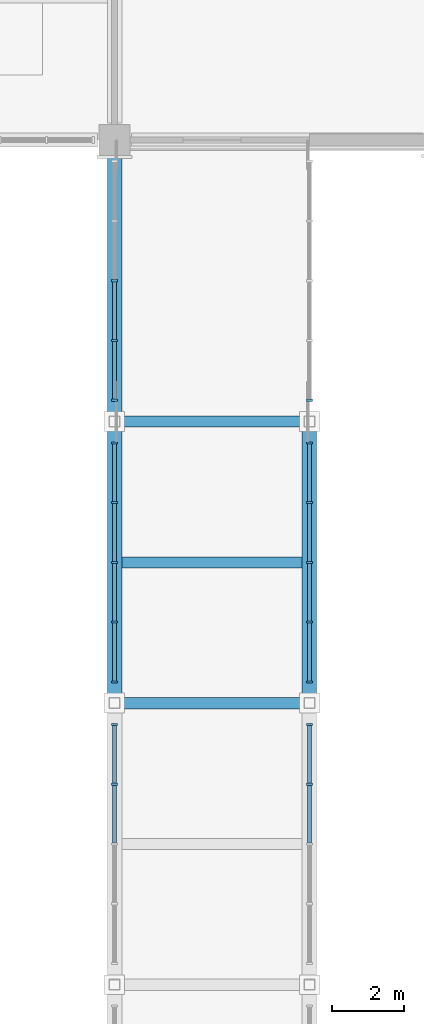
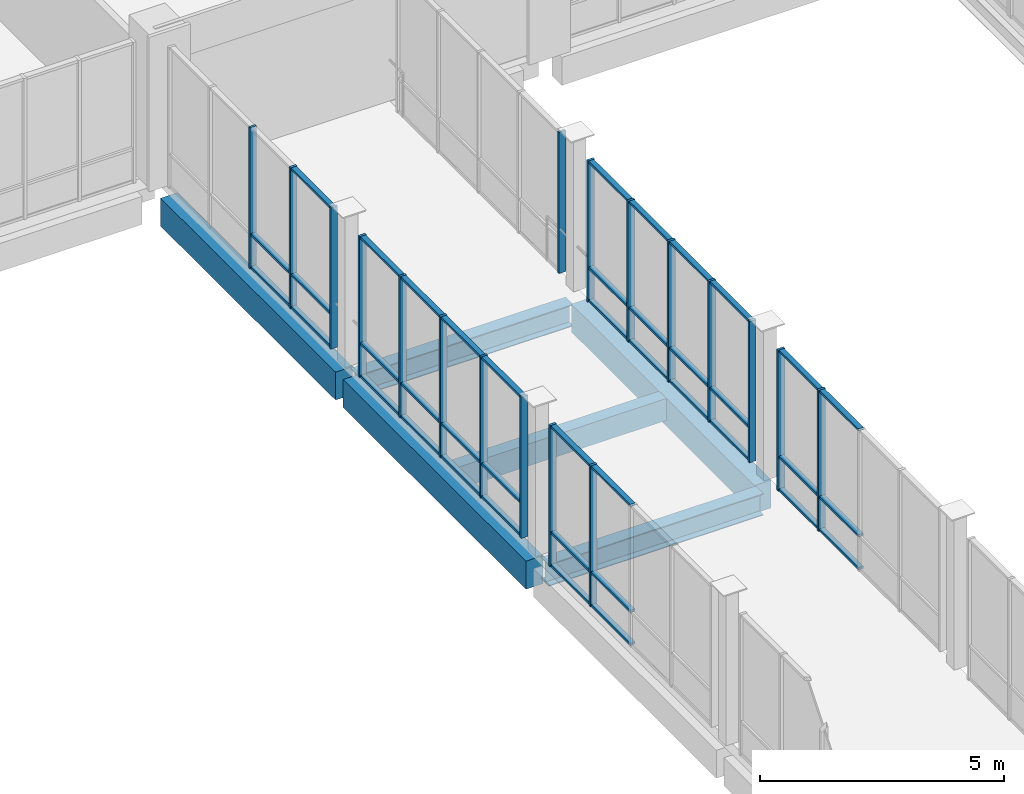
# One storey, part 31 of 85: 59 members, 6 beams, 6 elements without a shape of their own.
"""IFC4 building model written with IfcOpenShell, lengths in metres."""

from ifc_helpers import new_model, si_unit, direction, frame, origin, origin_2d, place, context, subcontext, project, spatial, rectangle, i_section, extrude, material, material_profile, profile_set, type_object, element, aggregate, save


model = new_model("IFC4")

# Units and contexts
model_context = context("Model", 3, precision=1e-05, world=origin(), true_north=direction((0.0, 1.0)))
body_context = subcontext(model_context, "Body", "Model", "MODEL_VIEW")
ifc_project = project(units=[si_unit("LENGTHUNIT", "METRE"), si_unit("AREAUNIT", "SQUARE_METRE"), si_unit("VOLUMEUNIT", "CUBIC_METRE"), si_unit("PLANEANGLEUNIT", "RADIAN"), si_unit("MASSUNIT", "GRAM", prefix="KILO")], contexts=[model_context])

# Site, building, storey
site_placement = place(None, origin())
site = spatial("IfcSite", under=ifc_project, at=site_placement, CompositionType="ELEMENT")
building_placement = place(site_placement, origin())
building = spatial("IfcBuilding", under=site, at=building_placement, Name="Vervanel Yard Central Library", CompositionType="ELEMENT")
storey_placement = place(building_placement, frame((0.0, 0.0, 5.10009765625)))
storey = spatial("IfcBuildingStorey", under=building, at=storey_placement, Name="L01", CompositionType="ELEMENT", Elevation=5.10009765625)

# Curtain wall, members
ifc_material_1 = material(Name="Thermally broken anodized aluminium 6063-T6", Category="aluminium")
curtain_wall_type = type_object("IfcCurtainWallType", Name="Boulevard Cafe & Bridge Curtain Wall", PredefinedType="NOTDEFINED", material=ifc_material_1)
curtain_wall_1_placement = place(storey_placement, origin())
curtain_wall_1 = element("IfcCurtainWall", 1, at=curtain_wall_1_placement, inside=storey, type_object=curtain_wall_type, Name="L01 Boulevard Cafe & Bridge Curtain Wall CWR-L01-181", PredefinedType="NOTDEFINED")
ifc_material_profile_1 = material_profile(ifc_material_1, rectangle(XDim=0.06005859375, YDim=0.159912109375, at=origin_2d()), Name="ALU 60x160", Category="aluminium")
ifc_profile_set_1 = profile_set([ifc_material_profile_1], Name="Thermally broken anodized aluminium 6063-T6")
member_type_1 = type_object("IfcMemberType", Name="Bridge & Courtyard Mullion 60x160", PredefinedType="MULLION", material=ifc_profile_set_1)
member_1_placement = place(storey_placement, frame((72.0, 64.35498046875, 0.0), z_axis=(0.0, 0.0, 1.0), x_axis=(0.0, 1.0, 0.0)))
member_1 = element("IfcMember", 2, at=member_1_placement, type_object=member_type_1, Name="CWR-L01-181 Mullion 4", PredefinedType="MULLION", context=body_context, shape_type="SweptSolid", body=[
    extrude(rectangle(XDim=0.06005859375, YDim=0.159912109375, at=origin_2d()), origin(), (0.0, 0.0, 1.0), 3.52978515625),
])
member_2_placement = place(storey_placement, frame((72.0, 66.010009765625, 0.0), z_axis=(0.0, 0.0, 1.0), x_axis=(0.0, 1.0, 0.0)))
member_2 = element("IfcMember", 3, at=member_2_placement, type_object=member_type_1, Name="CWR-L01-181 Mullion 5", PredefinedType="MULLION", context=body_context, shape_type="SweptSolid", body=[
    extrude(rectangle(XDim=0.06005859375, YDim=0.159912109375, at=origin_2d()), origin(), (0.0, 0.0, 1.0), 3.52978515625),
])

curtain_wall_2_placement = place(storey_placement, origin())
curtain_wall_2 = element("IfcCurtainWall", 4, at=curtain_wall_2_placement, inside=storey, type_object=curtain_wall_type, Name="L01 Boulevard Cafe & Bridge Curtain Wall CWR-L01-182", PredefinedType="NOTDEFINED")
member_3_placement = place(storey_placement, frame((72.0, 67.18994140625, 0.0), z_axis=(0.0, 0.0, 1.0), x_axis=(0.0, 1.0, 0.0)))
member_3 = element("IfcMember", 5, at=member_3_placement, type_object=member_type_1, Name="CWR-L01-182 Mullion 1", PredefinedType="MULLION", context=body_context, shape_type="SweptSolid", body=[
    extrude(rectangle(XDim=0.06005859375, YDim=0.159912109375, at=origin_2d()), origin(), (0.0, 0.0, 1.0), 3.52978515625),
])
member_4_placement = place(storey_placement, frame((72.0, 68.844970703125, 0.0), z_axis=(0.0, 0.0, 1.0), x_axis=(0.0, 1.0, 0.0)))
member_4 = element("IfcMember", 6, at=member_4_placement, type_object=member_type_1, Name="CWR-L01-182 Mullion 2", PredefinedType="MULLION", context=body_context, shape_type="SweptSolid", body=[
    extrude(rectangle(XDim=0.06005859375, YDim=0.159912109375, at=origin_2d()), origin(), (0.0, 0.0, 1.0), 3.52978515625),
])
member_5_placement = place(storey_placement, frame((72.0, 70.5, 0.0), z_axis=(0.0, 0.0, 1.0), x_axis=(0.0, 1.0, 0.0)))
member_5 = element("IfcMember", 7, at=member_5_placement, type_object=member_type_1, Name="CWR-L01-182 Mullion 3", PredefinedType="MULLION", context=body_context, shape_type="SweptSolid", body=[
    extrude(rectangle(XDim=0.06005859375, YDim=0.159912109375, at=origin_2d()), origin(), (0.0, 0.0, 1.0), 3.52978515625),
])
member_6_placement = place(storey_placement, frame((72.0, 72.155029296875, 0.0), z_axis=(0.0, 0.0, 1.0), x_axis=(0.0, 1.0, 0.0)))
member_6 = element("IfcMember", 8, at=member_6_placement, type_object=member_type_1, Name="CWR-L01-182 Mullion 4", PredefinedType="MULLION", context=body_context, shape_type="SweptSolid", body=[
    extrude(rectangle(XDim=0.06005859375, YDim=0.159912109375, at=origin_2d()), origin(), (0.0, 0.0, 1.0), 3.52978515625),
])
member_7_placement = place(storey_placement, frame((72.0, 73.81005859375, 0.0), z_axis=(0.0, 0.0, 1.0), x_axis=(0.0, 1.0, 0.0)))
member_7 = element("IfcMember", 9, at=member_7_placement, type_object=member_type_1, Name="CWR-L01-182 Mullion 5", PredefinedType="MULLION", context=body_context, shape_type="SweptSolid", body=[
    extrude(rectangle(XDim=0.06005859375, YDim=0.159912109375, at=origin_2d()), origin(), (0.0, 0.0, 1.0), 3.52978515625),
])

curtain_wall_3_placement = place(storey_placement, origin())
curtain_wall_3 = element("IfcCurtainWall", 10, at=curtain_wall_3_placement, inside=storey, type_object=curtain_wall_type, Name="L01 Boulevard Cafe & Bridge Curtain Wall CWR-L01-183", PredefinedType="NOTDEFINED")
member_8_placement = place(storey_placement, frame((72.0, 74.989990234375, 0.0), z_axis=(0.0, 0.0, 1.0), x_axis=(0.0, 1.0, 0.0)))
member_8 = element("IfcMember", 11, at=member_8_placement, type_object=member_type_1, Name="CWR-L01-183 Mullion 1", PredefinedType="MULLION", context=body_context, shape_type="SweptSolid", body=[
    extrude(rectangle(XDim=0.06005859375, YDim=0.159912109375, at=origin_2d()), origin(), (0.0, 0.0, 1.0), 3.52978515625),
])
member_9_placement = place(storey_placement, frame((72.0, 76.64501953125, 0.0), z_axis=(0.0, 0.0, 1.0), x_axis=(0.0, 1.0, 0.0)))
member_9 = element("IfcMember", 12, at=member_9_placement, type_object=member_type_1, Name="CWR-L01-183 Mullion 2", PredefinedType="MULLION", context=body_context, shape_type="SweptSolid", body=[
    extrude(rectangle(XDim=0.06005859375, YDim=0.159912109375, at=origin_2d()), origin(), (0.0, 0.0, 1.0), 3.52978515625),
])
member_10_placement = place(storey_placement, frame((72.0, 78.300048828125, 0.0), z_axis=(0.0, 0.0, 1.0), x_axis=(0.0, 1.0, 0.0)))
member_10 = element("IfcMember", 13, at=member_10_placement, type_object=member_type_1, Name="CWR-L01-183 Mullion 3", PredefinedType="MULLION", context=body_context, shape_type="SweptSolid", body=[
    extrude(rectangle(XDim=0.06005859375, YDim=0.159912109375, at=origin_2d()), origin(), (0.0, 0.0, 1.0), 3.52978515625),
])

curtain_wall_4_placement = place(storey_placement, origin())
curtain_wall_4 = element("IfcCurtainWall", 14, at=curtain_wall_4_placement, inside=storey, type_object=curtain_wall_type, Name="L01 Boulevard Cafe & Bridge Curtain Wall CWR-L01-189", PredefinedType="NOTDEFINED")
member_11_placement = place(storey_placement, frame((77.39990234375, 64.35498046875, 0.0), z_axis=(0.0, 0.0, 1.0), x_axis=(0.0, 1.0, 0.0)))
member_11 = element("IfcMember", 15, at=member_11_placement, type_object=member_type_1, Name="CWR-L01-189 Mullion 4", PredefinedType="MULLION", context=body_context, shape_type="SweptSolid", body=[
    extrude(rectangle(XDim=0.06005859375, YDim=0.159912109375, at=origin_2d()), origin(), (0.0, 0.0, 1.0), 3.52978515625),
])
member_12_placement = place(storey_placement, frame((77.39990234375, 66.010009765625, 0.0), z_axis=(0.0, 0.0, 1.0), x_axis=(0.0, 1.0, 0.0)))
member_12 = element("IfcMember", 16, at=member_12_placement, type_object=member_type_1, Name="CWR-L01-189 Mullion 5", PredefinedType="MULLION", context=body_context, shape_type="SweptSolid", body=[
    extrude(rectangle(XDim=0.06005859375, YDim=0.159912109375, at=origin_2d()), origin(), (0.0, 0.0, 1.0), 3.52978515625),
])

curtain_wall_5_placement = place(storey_placement, origin())
curtain_wall_5 = element("IfcCurtainWall", 17, at=curtain_wall_5_placement, inside=storey, type_object=curtain_wall_type, Name="L01 Boulevard Cafe & Bridge Curtain Wall CWR-L01-190", PredefinedType="NOTDEFINED")
member_13_placement = place(storey_placement, frame((77.39990234375, 67.18994140625, 0.0), z_axis=(0.0, 0.0, 1.0), x_axis=(0.0, 1.0, 0.0)))
member_13 = element("IfcMember", 18, at=member_13_placement, type_object=member_type_1, Name="CWR-L01-190 Mullion 1", PredefinedType="MULLION", context=body_context, shape_type="SweptSolid", body=[
    extrude(rectangle(XDim=0.06005859375, YDim=0.159912109375, at=origin_2d()), origin(), (0.0, 0.0, 1.0), 3.52978515625),
])
member_14_placement = place(storey_placement, frame((77.39990234375, 68.844970703125, 0.0), z_axis=(0.0, 0.0, 1.0), x_axis=(0.0, 1.0, 0.0)))
member_14 = element("IfcMember", 19, at=member_14_placement, type_object=member_type_1, Name="CWR-L01-190 Mullion 2", PredefinedType="MULLION", context=body_context, shape_type="SweptSolid", body=[
    extrude(rectangle(XDim=0.06005859375, YDim=0.159912109375, at=origin_2d()), origin(), (0.0, 0.0, 1.0), 3.52978515625),
])
member_15_placement = place(storey_placement, frame((77.39990234375, 70.5, 0.0), z_axis=(0.0, 0.0, 1.0), x_axis=(0.0, 1.0, 0.0)))
member_15 = element("IfcMember", 20, at=member_15_placement, type_object=member_type_1, Name="CWR-L01-190 Mullion 3", PredefinedType="MULLION", context=body_context, shape_type="SweptSolid", body=[
    extrude(rectangle(XDim=0.06005859375, YDim=0.159912109375, at=origin_2d()), origin(), (0.0, 0.0, 1.0), 3.52978515625),
])
member_16_placement = place(storey_placement, frame((77.39990234375, 72.155029296875, 0.0), z_axis=(0.0, 0.0, 1.0), x_axis=(0.0, 1.0, 0.0)))
member_16 = element("IfcMember", 21, at=member_16_placement, type_object=member_type_1, Name="CWR-L01-190 Mullion 4", PredefinedType="MULLION", context=body_context, shape_type="SweptSolid", body=[
    extrude(rectangle(XDim=0.06005859375, YDim=0.159912109375, at=origin_2d()), origin(), (0.0, 0.0, 1.0), 3.52978515625),
])
member_17_placement = place(storey_placement, frame((77.39990234375, 73.81005859375, 0.0), z_axis=(0.0, 0.0, 1.0), x_axis=(0.0, 1.0, 0.0)))
member_17 = element("IfcMember", 22, at=member_17_placement, type_object=member_type_1, Name="CWR-L01-190 Mullion 5", PredefinedType="MULLION", context=body_context, shape_type="SweptSolid", body=[
    extrude(rectangle(XDim=0.06005859375, YDim=0.159912109375, at=origin_2d()), origin(), (0.0, 0.0, 1.0), 3.52978515625),
])

# Curtain wall, member
curtain_wall_6_placement = place(storey_placement, origin())
curtain_wall_6 = element("IfcCurtainWall", 23, at=curtain_wall_6_placement, inside=storey, type_object=curtain_wall_type, Name="L01 Boulevard Cafe & Bridge Curtain Wall CWR-L01-191", PredefinedType="NOTDEFINED")
member_18_placement = place(storey_placement, frame((77.39990234375, 74.989990234375, 0.0), z_axis=(0.0, 0.0, 1.0), x_axis=(0.0, 1.0, 0.0)))
member_18 = element("IfcMember", 24, at=member_18_placement, type_object=member_type_1, Name="CWR-L01-191 Mullion 1", PredefinedType="MULLION", context=body_context, shape_type="SweptSolid", body=[
    extrude(rectangle(XDim=0.06005859375, YDim=0.159912109375, at=origin_2d()), origin(), (0.0, 0.0, 1.0), 3.52978515625),
])
aggregate(curtain_wall_6, [member_18])

# Member
ifc_material_profile_2 = material_profile(ifc_material_1, rectangle(XDim=0.06005859375, YDim=0.1201171875, at=origin_2d()), Name="ALU 60x120", Category="aluminium")
ifc_profile_set_2 = profile_set([ifc_material_profile_2], Name="Thermally broken anodized aluminium 6063-T6")
member_type_2 = type_object("IfcMemberType", Name="Bridge & Courtyard Transom 60x120", PredefinedType="NOTDEFINED", material=ifc_profile_set_2)
member_19_placement = place(storey_placement, frame((72.0, 62.72998046875, 0.02978515625), z_axis=(0.0, 1.0, 0.0), x_axis=(0.0, 0.0, 1.0)))
member_19 = element("IfcMember", 25, at=member_19_placement, type_object=member_type_2, Name="CWR-L01-181 Transom B3-T1", ObjectType="TRANSOM", PredefinedType="USERDEFINED", context=body_context, shape_type="SweptSolid", body=[
    extrude(rectangle(XDim=0.06005859375, YDim=0.1201171875, at=origin_2d()), origin(), (0.0, 0.0, 1.0), 1.594970703125),
])

member_20_placement = place(storey_placement, frame((72.0, 62.72998046875, 0.849853515625), z_axis=(0.0, 1.0, 0.0), x_axis=(0.0, 0.0, 1.0)))
member_20 = element("IfcMember", 26, at=member_20_placement, type_object=member_type_2, Name="CWR-L01-181 Transom B3-T2", ObjectType="TRANSOM", PredefinedType="USERDEFINED", context=body_context, shape_type="SweptSolid", body=[
    extrude(rectangle(XDim=0.06005859375, YDim=0.1201171875, at=origin_2d()), origin(), (0.0, 0.0, 1.0), 1.594970703125),
])

member_21_placement = place(storey_placement, frame((72.0, 62.72998046875, 3.5), z_axis=(0.0, 1.0, 0.0), x_axis=(0.0, 0.0, 1.0)))
member_21 = element("IfcMember", 27, at=member_21_placement, type_object=member_type_2, Name="CWR-L01-181 Transom B3-T3", ObjectType="TRANSOM", PredefinedType="USERDEFINED", context=body_context, shape_type="SweptSolid", body=[
    extrude(rectangle(XDim=0.06005859375, YDim=0.1201171875, at=origin_2d()), origin(), (0.0, 0.0, 1.0), 1.594970703125),
])

member_22_placement = place(storey_placement, frame((72.0, 64.385009765625, 0.02978515625), z_axis=(0.0, 1.0, 0.0), x_axis=(0.0, 0.0, 1.0)))
member_22 = element("IfcMember", 28, at=member_22_placement, type_object=member_type_2, Name="CWR-L01-181 Transom B4-T1", ObjectType="TRANSOM", PredefinedType="USERDEFINED", context=body_context, shape_type="SweptSolid", body=[
    extrude(rectangle(XDim=0.06005859375, YDim=0.1201171875, at=origin_2d()), origin(), (0.0, 0.0, 1.0), 1.594970703125),
])

member_23_placement = place(storey_placement, frame((72.0, 64.385009765625, 0.849853515625), z_axis=(0.0, 1.0, 0.0), x_axis=(0.0, 0.0, 1.0)))
member_23 = element("IfcMember", 29, at=member_23_placement, type_object=member_type_2, Name="CWR-L01-181 Transom B4-T2", ObjectType="TRANSOM", PredefinedType="USERDEFINED", context=body_context, shape_type="SweptSolid", body=[
    extrude(rectangle(XDim=0.06005859375, YDim=0.1201171875, at=origin_2d()), origin(), (0.0, 0.0, 1.0), 1.594970703125),
])

member_24_placement = place(storey_placement, frame((72.0, 64.385009765625, 3.5), z_axis=(0.0, 1.0, 0.0), x_axis=(0.0, 0.0, 1.0)))
member_24 = element("IfcMember", 30, at=member_24_placement, type_object=member_type_2, Name="CWR-L01-181 Transom B4-T3", ObjectType="TRANSOM", PredefinedType="USERDEFINED", context=body_context, shape_type="SweptSolid", body=[
    extrude(rectangle(XDim=0.06005859375, YDim=0.1201171875, at=origin_2d()), origin(), (0.0, 0.0, 1.0), 1.594970703125),
])

aggregate(curtain_wall_1, [member_1, member_2, member_19, member_20, member_21, member_22, member_23, member_24])

member_25_placement = place(storey_placement, frame((72.0, 67.219970703125, 0.02978515625), z_axis=(0.0, 1.0, 0.0), x_axis=(0.0, 0.0, 1.0)))
member_25 = element("IfcMember", 31, at=member_25_placement, type_object=member_type_2, Name="CWR-L01-182 Transom B1-T1", ObjectType="TRANSOM", PredefinedType="USERDEFINED", context=body_context, shape_type="SweptSolid", body=[
    extrude(rectangle(XDim=0.06005859375, YDim=0.1201171875, at=origin_2d()), origin(), (0.0, 0.0, 1.0), 1.594970703125),
])

member_26_placement = place(storey_placement, frame((72.0, 67.219970703125, 0.849853515625), z_axis=(0.0, 1.0, 0.0), x_axis=(0.0, 0.0, 1.0)))
member_26 = element("IfcMember", 32, at=member_26_placement, type_object=member_type_2, Name="CWR-L01-182 Transom B1-T2", ObjectType="TRANSOM", PredefinedType="USERDEFINED", context=body_context, shape_type="SweptSolid", body=[
    extrude(rectangle(XDim=0.06005859375, YDim=0.1201171875, at=origin_2d()), origin(), (0.0, 0.0, 1.0), 1.594970703125),
])

member_27_placement = place(storey_placement, frame((72.0, 67.219970703125, 3.5), z_axis=(0.0, 1.0, 0.0), x_axis=(0.0, 0.0, 1.0)))
member_27 = element("IfcMember", 33, at=member_27_placement, type_object=member_type_2, Name="CWR-L01-182 Transom B1-T3", ObjectType="TRANSOM", PredefinedType="USERDEFINED", context=body_context, shape_type="SweptSolid", body=[
    extrude(rectangle(XDim=0.06005859375, YDim=0.1201171875, at=origin_2d()), origin(), (0.0, 0.0, 1.0), 1.594970703125),
])

member_28_placement = place(storey_placement, frame((72.0, 68.875, 0.02978515625), z_axis=(0.0, 1.0, 0.0), x_axis=(0.0, 0.0, 1.0)))
member_28 = element("IfcMember", 34, at=member_28_placement, type_object=member_type_2, Name="CWR-L01-182 Transom B2-T1", ObjectType="TRANSOM", PredefinedType="USERDEFINED", context=body_context, shape_type="SweptSolid", body=[
    extrude(rectangle(XDim=0.06005859375, YDim=0.1201171875, at=origin_2d()), origin(), (0.0, 0.0, 1.0), 1.594970703125),
])

member_29_placement = place(storey_placement, frame((72.0, 68.875, 0.849853515625), z_axis=(0.0, 1.0, 0.0), x_axis=(0.0, 0.0, 1.0)))
member_29 = element("IfcMember", 35, at=member_29_placement, type_object=member_type_2, Name="CWR-L01-182 Transom B2-T2", ObjectType="TRANSOM", PredefinedType="USERDEFINED", context=body_context, shape_type="SweptSolid", body=[
    extrude(rectangle(XDim=0.06005859375, YDim=0.1201171875, at=origin_2d()), origin(), (0.0, 0.0, 1.0), 1.594970703125),
])

member_30_placement = place(storey_placement, frame((72.0, 68.875, 3.5), z_axis=(0.0, 1.0, 0.0), x_axis=(0.0, 0.0, 1.0)))
member_30 = element("IfcMember", 36, at=member_30_placement, type_object=member_type_2, Name="CWR-L01-182 Transom B2-T3", ObjectType="TRANSOM", PredefinedType="USERDEFINED", context=body_context, shape_type="SweptSolid", body=[
    extrude(rectangle(XDim=0.06005859375, YDim=0.1201171875, at=origin_2d()), origin(), (0.0, 0.0, 1.0), 1.594970703125),
])

member_31_placement = place(storey_placement, frame((72.0, 70.530029296875, 0.02978515625), z_axis=(0.0, 1.0, 0.0), x_axis=(0.0, 0.0, 1.0)))
member_31 = element("IfcMember", 37, at=member_31_placement, type_object=member_type_2, Name="CWR-L01-182 Transom B3-T1", ObjectType="TRANSOM", PredefinedType="USERDEFINED", context=body_context, shape_type="SweptSolid", body=[
    extrude(rectangle(XDim=0.06005859375, YDim=0.1201171875, at=origin_2d()), origin(), (0.0, 0.0, 1.0), 1.594970703125),
])

member_32_placement = place(storey_placement, frame((72.0, 70.530029296875, 0.849853515625), z_axis=(0.0, 1.0, 0.0), x_axis=(0.0, 0.0, 1.0)))
member_32 = element("IfcMember", 38, at=member_32_placement, type_object=member_type_2, Name="CWR-L01-182 Transom B3-T2", ObjectType="TRANSOM", PredefinedType="USERDEFINED", context=body_context, shape_type="SweptSolid", body=[
    extrude(rectangle(XDim=0.06005859375, YDim=0.1201171875, at=origin_2d()), origin(), (0.0, 0.0, 1.0), 1.594970703125),
])

member_33_placement = place(storey_placement, frame((72.0, 70.530029296875, 3.5), z_axis=(0.0, 1.0, 0.0), x_axis=(0.0, 0.0, 1.0)))
member_33 = element("IfcMember", 39, at=member_33_placement, type_object=member_type_2, Name="CWR-L01-182 Transom B3-T3", ObjectType="TRANSOM", PredefinedType="USERDEFINED", context=body_context, shape_type="SweptSolid", body=[
    extrude(rectangle(XDim=0.06005859375, YDim=0.1201171875, at=origin_2d()), origin(), (0.0, 0.0, 1.0), 1.594970703125),
])

member_34_placement = place(storey_placement, frame((72.0, 72.18505859375, 0.02978515625), z_axis=(0.0, 1.0, 0.0), x_axis=(0.0, 0.0, 1.0)))
member_34 = element("IfcMember", 40, at=member_34_placement, type_object=member_type_2, Name="CWR-L01-182 Transom B4-T1", ObjectType="TRANSOM", PredefinedType="USERDEFINED", context=body_context, shape_type="SweptSolid", body=[
    extrude(rectangle(XDim=0.06005859375, YDim=0.1201171875, at=origin_2d()), origin(), (0.0, 0.0, 1.0), 1.594970703125),
])

member_35_placement = place(storey_placement, frame((72.0, 72.18505859375, 0.849853515625), z_axis=(0.0, 1.0, 0.0), x_axis=(0.0, 0.0, 1.0)))
member_35 = element("IfcMember", 41, at=member_35_placement, type_object=member_type_2, Name="CWR-L01-182 Transom B4-T2", ObjectType="TRANSOM", PredefinedType="USERDEFINED", context=body_context, shape_type="SweptSolid", body=[
    extrude(rectangle(XDim=0.06005859375, YDim=0.1201171875, at=origin_2d()), origin(), (0.0, 0.0, 1.0), 1.594970703125),
])

member_36_placement = place(storey_placement, frame((72.0, 72.18505859375, 3.5), z_axis=(0.0, 1.0, 0.0), x_axis=(0.0, 0.0, 1.0)))
member_36 = element("IfcMember", 42, at=member_36_placement, type_object=member_type_2, Name="CWR-L01-182 Transom B4-T3", ObjectType="TRANSOM", PredefinedType="USERDEFINED", context=body_context, shape_type="SweptSolid", body=[
    extrude(rectangle(XDim=0.06005859375, YDim=0.1201171875, at=origin_2d()), origin(), (0.0, 0.0, 1.0), 1.594970703125),
])

aggregate(curtain_wall_2, [member_3, member_4, member_5, member_6, member_7, member_25, member_26, member_27, member_28, member_29, member_30, member_31, member_32, member_33, member_34, member_35, member_36])

member_37_placement = place(storey_placement, frame((72.0, 75.02001953125, 0.02978515625), z_axis=(0.0, 1.0, 0.0), x_axis=(0.0, 0.0, 1.0)))
member_37 = element("IfcMember", 43, at=member_37_placement, type_object=member_type_2, Name="CWR-L01-183 Transom B1-T1", ObjectType="TRANSOM", PredefinedType="USERDEFINED", context=body_context, shape_type="SweptSolid", body=[
    extrude(rectangle(XDim=0.06005859375, YDim=0.1201171875, at=origin_2d()), origin(), (0.0, 0.0, 1.0), 1.594970703125),
])

member_38_placement = place(storey_placement, frame((72.0, 75.02001953125, 0.849853515625), z_axis=(0.0, 1.0, 0.0), x_axis=(0.0, 0.0, 1.0)))
member_38 = element("IfcMember", 44, at=member_38_placement, type_object=member_type_2, Name="CWR-L01-183 Transom B1-T2", ObjectType="TRANSOM", PredefinedType="USERDEFINED", context=body_context, shape_type="SweptSolid", body=[
    extrude(rectangle(XDim=0.06005859375, YDim=0.1201171875, at=origin_2d()), origin(), (0.0, 0.0, 1.0), 1.594970703125),
])

member_39_placement = place(storey_placement, frame((72.0, 75.02001953125, 3.5), z_axis=(0.0, 1.0, 0.0), x_axis=(0.0, 0.0, 1.0)))
member_39 = element("IfcMember", 45, at=member_39_placement, type_object=member_type_2, Name="CWR-L01-183 Transom B1-T3", ObjectType="TRANSOM", PredefinedType="USERDEFINED", context=body_context, shape_type="SweptSolid", body=[
    extrude(rectangle(XDim=0.06005859375, YDim=0.1201171875, at=origin_2d()), origin(), (0.0, 0.0, 1.0), 1.594970703125),
])

member_40_placement = place(storey_placement, frame((72.0, 76.675048828125, 0.02978515625), z_axis=(0.0, 1.0, 0.0), x_axis=(0.0, 0.0, 1.0)))
member_40 = element("IfcMember", 46, at=member_40_placement, type_object=member_type_2, Name="CWR-L01-183 Transom B2-T1", ObjectType="TRANSOM", PredefinedType="USERDEFINED", context=body_context, shape_type="SweptSolid", body=[
    extrude(rectangle(XDim=0.06005859375, YDim=0.1201171875, at=origin_2d()), origin(), (0.0, 0.0, 1.0), 1.594970703125),
])

member_41_placement = place(storey_placement, frame((72.0, 76.675048828125, 0.849853515625), z_axis=(0.0, 1.0, 0.0), x_axis=(0.0, 0.0, 1.0)))
member_41 = element("IfcMember", 47, at=member_41_placement, type_object=member_type_2, Name="CWR-L01-183 Transom B2-T2", ObjectType="TRANSOM", PredefinedType="USERDEFINED", context=body_context, shape_type="SweptSolid", body=[
    extrude(rectangle(XDim=0.06005859375, YDim=0.1201171875, at=origin_2d()), origin(), (0.0, 0.0, 1.0), 1.594970703125),
])

aggregate(curtain_wall_3, [member_8, member_9, member_10, member_37, member_38, member_39, member_40, member_41])

member_42_placement = place(storey_placement, frame((77.39990234375, 62.72998046875, 0.02978515625), z_axis=(0.0, 1.0, 0.0), x_axis=(0.0, 0.0, 1.0)))
member_42 = element("IfcMember", 48, at=member_42_placement, type_object=member_type_2, Name="CWR-L01-189 Transom B3-T1", ObjectType="TRANSOM", PredefinedType="USERDEFINED", context=body_context, shape_type="SweptSolid", body=[
    extrude(rectangle(XDim=0.06005859375, YDim=0.1201171875, at=origin_2d()), origin(), (0.0, 0.0, 1.0), 1.594970703125),
])

member_43_placement = place(storey_placement, frame((77.39990234375, 62.72998046875, 0.849853515625), z_axis=(0.0, 1.0, 0.0), x_axis=(0.0, 0.0, 1.0)))
member_43 = element("IfcMember", 49, at=member_43_placement, type_object=member_type_2, Name="CWR-L01-189 Transom B3-T2", ObjectType="TRANSOM", PredefinedType="USERDEFINED", context=body_context, shape_type="SweptSolid", body=[
    extrude(rectangle(XDim=0.06005859375, YDim=0.1201171875, at=origin_2d()), origin(), (0.0, 0.0, 1.0), 1.594970703125),
])

member_44_placement = place(storey_placement, frame((77.39990234375, 62.72998046875, 3.5), z_axis=(0.0, 1.0, 0.0), x_axis=(0.0, 0.0, 1.0)))
member_44 = element("IfcMember", 50, at=member_44_placement, type_object=member_type_2, Name="CWR-L01-189 Transom B3-T3", ObjectType="TRANSOM", PredefinedType="USERDEFINED", context=body_context, shape_type="SweptSolid", body=[
    extrude(rectangle(XDim=0.06005859375, YDim=0.1201171875, at=origin_2d()), origin(), (0.0, 0.0, 1.0), 1.594970703125),
])

member_45_placement = place(storey_placement, frame((77.39990234375, 64.385009765625, 0.02978515625), z_axis=(0.0, 1.0, 0.0), x_axis=(0.0, 0.0, 1.0)))
member_45 = element("IfcMember", 51, at=member_45_placement, type_object=member_type_2, Name="CWR-L01-189 Transom B4-T1", ObjectType="TRANSOM", PredefinedType="USERDEFINED", context=body_context, shape_type="SweptSolid", body=[
    extrude(rectangle(XDim=0.06005859375, YDim=0.1201171875, at=origin_2d()), origin(), (0.0, 0.0, 1.0), 1.594970703125),
])

member_46_placement = place(storey_placement, frame((77.39990234375, 64.385009765625, 0.849853515625), z_axis=(0.0, 1.0, 0.0), x_axis=(0.0, 0.0, 1.0)))
member_46 = element("IfcMember", 52, at=member_46_placement, type_object=member_type_2, Name="CWR-L01-189 Transom B4-T2", ObjectType="TRANSOM", PredefinedType="USERDEFINED", context=body_context, shape_type="SweptSolid", body=[
    extrude(rectangle(XDim=0.06005859375, YDim=0.1201171875, at=origin_2d()), origin(), (0.0, 0.0, 1.0), 1.594970703125),
])

member_47_placement = place(storey_placement, frame((77.39990234375, 64.385009765625, 3.5), z_axis=(0.0, 1.0, 0.0), x_axis=(0.0, 0.0, 1.0)))
member_47 = element("IfcMember", 53, at=member_47_placement, type_object=member_type_2, Name="CWR-L01-189 Transom B4-T3", ObjectType="TRANSOM", PredefinedType="USERDEFINED", context=body_context, shape_type="SweptSolid", body=[
    extrude(rectangle(XDim=0.06005859375, YDim=0.1201171875, at=origin_2d()), origin(), (0.0, 0.0, 1.0), 1.594970703125),
])

aggregate(curtain_wall_4, [member_11, member_12, member_42, member_43, member_44, member_45, member_46, member_47])

member_48_placement = place(storey_placement, frame((77.39990234375, 67.219970703125, 0.02978515625), z_axis=(0.0, 1.0, 0.0), x_axis=(0.0, 0.0, 1.0)))
member_48 = element("IfcMember", 54, at=member_48_placement, type_object=member_type_2, Name="CWR-L01-190 Transom B1-T1", ObjectType="TRANSOM", PredefinedType="USERDEFINED", context=body_context, shape_type="SweptSolid", body=[
    extrude(rectangle(XDim=0.06005859375, YDim=0.1201171875, at=origin_2d()), origin(), (0.0, 0.0, 1.0), 1.594970703125),
])

member_49_placement = place(storey_placement, frame((77.39990234375, 67.219970703125, 0.849853515625), z_axis=(0.0, 1.0, 0.0), x_axis=(0.0, 0.0, 1.0)))
member_49 = element("IfcMember", 55, at=member_49_placement, type_object=member_type_2, Name="CWR-L01-190 Transom B1-T2", ObjectType="TRANSOM", PredefinedType="USERDEFINED", context=body_context, shape_type="SweptSolid", body=[
    extrude(rectangle(XDim=0.06005859375, YDim=0.1201171875, at=origin_2d()), origin(), (0.0, 0.0, 1.0), 1.594970703125),
])

member_50_placement = place(storey_placement, frame((77.39990234375, 67.219970703125, 3.5), z_axis=(0.0, 1.0, 0.0), x_axis=(0.0, 0.0, 1.0)))
member_50 = element("IfcMember", 56, at=member_50_placement, type_object=member_type_2, Name="CWR-L01-190 Transom B1-T3", ObjectType="TRANSOM", PredefinedType="USERDEFINED", context=body_context, shape_type="SweptSolid", body=[
    extrude(rectangle(XDim=0.06005859375, YDim=0.1201171875, at=origin_2d()), origin(), (0.0, 0.0, 1.0), 1.594970703125),
])

member_51_placement = place(storey_placement, frame((77.39990234375, 68.875, 0.02978515625), z_axis=(0.0, 1.0, 0.0), x_axis=(0.0, 0.0, 1.0)))
member_51 = element("IfcMember", 57, at=member_51_placement, type_object=member_type_2, Name="CWR-L01-190 Transom B2-T1", ObjectType="TRANSOM", PredefinedType="USERDEFINED", context=body_context, shape_type="SweptSolid", body=[
    extrude(rectangle(XDim=0.06005859375, YDim=0.1201171875, at=origin_2d()), origin(), (0.0, 0.0, 1.0), 1.594970703125),
])

member_52_placement = place(storey_placement, frame((77.39990234375, 68.875, 0.849853515625), z_axis=(0.0, 1.0, 0.0), x_axis=(0.0, 0.0, 1.0)))
member_52 = element("IfcMember", 58, at=member_52_placement, type_object=member_type_2, Name="CWR-L01-190 Transom B2-T2", ObjectType="TRANSOM", PredefinedType="USERDEFINED", context=body_context, shape_type="SweptSolid", body=[
    extrude(rectangle(XDim=0.06005859375, YDim=0.1201171875, at=origin_2d()), origin(), (0.0, 0.0, 1.0), 1.594970703125),
])

member_53_placement = place(storey_placement, frame((77.39990234375, 68.875, 3.5), z_axis=(0.0, 1.0, 0.0), x_axis=(0.0, 0.0, 1.0)))
member_53 = element("IfcMember", 59, at=member_53_placement, type_object=member_type_2, Name="CWR-L01-190 Transom B2-T3", ObjectType="TRANSOM", PredefinedType="USERDEFINED", context=body_context, shape_type="SweptSolid", body=[
    extrude(rectangle(XDim=0.06005859375, YDim=0.1201171875, at=origin_2d()), origin(), (0.0, 0.0, 1.0), 1.594970703125),
])

member_54_placement = place(storey_placement, frame((77.39990234375, 70.530029296875, 0.02978515625), z_axis=(0.0, 1.0, 0.0), x_axis=(0.0, 0.0, 1.0)))
member_54 = element("IfcMember", 60, at=member_54_placement, type_object=member_type_2, Name="CWR-L01-190 Transom B3-T1", ObjectType="TRANSOM", PredefinedType="USERDEFINED", context=body_context, shape_type="SweptSolid", body=[
    extrude(rectangle(XDim=0.06005859375, YDim=0.1201171875, at=origin_2d()), origin(), (0.0, 0.0, 1.0), 1.594970703125),
])

member_55_placement = place(storey_placement, frame((77.39990234375, 70.530029296875, 0.849853515625), z_axis=(0.0, 1.0, 0.0), x_axis=(0.0, 0.0, 1.0)))
member_55 = element("IfcMember", 61, at=member_55_placement, type_object=member_type_2, Name="CWR-L01-190 Transom B3-T2", ObjectType="TRANSOM", PredefinedType="USERDEFINED", context=body_context, shape_type="SweptSolid", body=[
    extrude(rectangle(XDim=0.06005859375, YDim=0.1201171875, at=origin_2d()), origin(), (0.0, 0.0, 1.0), 1.594970703125),
])

member_56_placement = place(storey_placement, frame((77.39990234375, 70.530029296875, 3.5), z_axis=(0.0, 1.0, 0.0), x_axis=(0.0, 0.0, 1.0)))
member_56 = element("IfcMember", 62, at=member_56_placement, type_object=member_type_2, Name="CWR-L01-190 Transom B3-T3", ObjectType="TRANSOM", PredefinedType="USERDEFINED", context=body_context, shape_type="SweptSolid", body=[
    extrude(rectangle(XDim=0.06005859375, YDim=0.1201171875, at=origin_2d()), origin(), (0.0, 0.0, 1.0), 1.594970703125),
])

member_57_placement = place(storey_placement, frame((77.39990234375, 72.18505859375, 0.02978515625), z_axis=(0.0, 1.0, 0.0), x_axis=(0.0, 0.0, 1.0)))
member_57 = element("IfcMember", 63, at=member_57_placement, type_object=member_type_2, Name="CWR-L01-190 Transom B4-T1", ObjectType="TRANSOM", PredefinedType="USERDEFINED", context=body_context, shape_type="SweptSolid", body=[
    extrude(rectangle(XDim=0.06005859375, YDim=0.1201171875, at=origin_2d()), origin(), (0.0, 0.0, 1.0), 1.594970703125),
])

member_58_placement = place(storey_placement, frame((77.39990234375, 72.18505859375, 0.849853515625), z_axis=(0.0, 1.0, 0.0), x_axis=(0.0, 0.0, 1.0)))
member_58 = element("IfcMember", 64, at=member_58_placement, type_object=member_type_2, Name="CWR-L01-190 Transom B4-T2", ObjectType="TRANSOM", PredefinedType="USERDEFINED", context=body_context, shape_type="SweptSolid", body=[
    extrude(rectangle(XDim=0.06005859375, YDim=0.1201171875, at=origin_2d()), origin(), (0.0, 0.0, 1.0), 1.594970703125),
])

member_59_placement = place(storey_placement, frame((77.39990234375, 72.18505859375, 3.5), z_axis=(0.0, 1.0, 0.0), x_axis=(0.0, 0.0, 1.0)))
member_59 = element("IfcMember", 65, at=member_59_placement, type_object=member_type_2, Name="CWR-L01-190 Transom B4-T3", ObjectType="TRANSOM", PredefinedType="USERDEFINED", context=body_context, shape_type="SweptSolid", body=[
    extrude(rectangle(XDim=0.06005859375, YDim=0.1201171875, at=origin_2d()), origin(), (0.0, 0.0, 1.0), 1.594970703125),
])

aggregate(curtain_wall_5, [member_13, member_14, member_15, member_16, member_17, member_48, member_49, member_50, member_51, member_52, member_53, member_54, member_55, member_56, member_57, member_58, member_59])

# Beams
ifc_material_2 = material(Name="Concrete C40/50", Category="concrete")
ifc_material_profile_3 = material_profile(ifc_material_2, rectangle(XDim=0.39990234375, YDim=0.699951171875, at=origin_2d()), Name="RC 400x700", Category="concrete")
ifc_profile_set_3 = profile_set([ifc_material_profile_3], Name="Concrete C40/50")
beam_type_1 = type_object("IfcBeamType", Name="Concrete Perimeter Spandrel 400x700", PredefinedType="SPANDREL", material=ifc_profile_set_3)
beam_1_placement = place(storey_placement, frame((72.0, 66.75244140625, -0.630126953125), z_axis=(0.0, 1.0, 0.0), x_axis=(-1.0, 0.0, 0.0)))
element("IfcBeam", 66, at=beam_1_placement, inside=storey, type_object=beam_type_1, Name="L01 Girder SP-01 X=72.0 Y=66.6-74.4", PredefinedType="SPANDREL", context=body_context, shape_type="SweptSolid", body=[
    extrude(rectangle(XDim=0.39990234375, YDim=0.699951171875, at=origin_2d()), origin(), (0.0, 0.0, 1.0), 7.4951171875),
])
beam_2_placement = place(storey_placement, frame((72.0, 74.552490234375, -0.630126953125), z_axis=(0.0, 1.0, 0.0), x_axis=(-1.0, 0.0, 0.0)))
element("IfcBeam", 67, at=beam_2_placement, inside=storey, type_object=beam_type_1, Name="L01 Girder SP-01 X=72.0 Y=74.4-82.2", PredefinedType="SPANDREL", context=body_context, shape_type="SweptSolid", body=[
    extrude(rectangle(XDim=0.39990234375, YDim=0.699951171875, at=origin_2d()), origin(), (0.0, 0.0, 1.0), 7.172607421875),
])
beam_3_placement = place(storey_placement, frame((77.39990234375, 66.75244140625, -0.630126953125), z_axis=(0.0, 1.0, 0.0), x_axis=(-1.0, 0.0, 0.0)))
element("IfcBeam", 68, at=beam_3_placement, inside=storey, type_object=beam_type_1, Name="L01 Girder SP-01 X=77.4 Y=66.6-74.4", PredefinedType="SPANDREL", context=body_context, shape_type="SweptSolid", body=[
    extrude(rectangle(XDim=0.39990234375, YDim=0.699951171875, at=origin_2d()), origin(), (0.0, 0.0, 1.0), 7.4951171875),
])
ifc_material_profile_4 = material_profile(ifc_material_2, rectangle(XDim=0.300048828125, YDim=0.550048828125, at=origin_2d()), Name="RC 300x550", Category="concrete")
ifc_profile_set_4 = profile_set([ifc_material_profile_4], Name="Concrete C40/50")
beam_type_2 = type_object("IfcBeamType", Name="Concrete Secondary Joist 300x550", PredefinedType="JOIST", material=ifc_profile_set_4)
beam_4_placement = place(storey_placement, frame((72.199951171875, 70.5, -0.55517578125), z_axis=(1.0, 0.0, 0.0), x_axis=(0.0, 1.0, 0.0)))
element("IfcBeam", 69, at=beam_4_placement, inside=storey, type_object=beam_type_2, Name="L01 Floor Joist CJ-02 Y=70.50 X=72.0-77.4", PredefinedType="JOIST", context=body_context, shape_type="SweptSolid", body=[
    extrude(rectangle(XDim=0.300048828125, YDim=0.550048828125, at=origin_2d()), origin(), (0.0, 0.0, 1.0), 5.0),
])
ifc_material_3 = material(Name="Steel ASTM A992 Grade 50", Category="steel")
ifc_material_profile_5 = material_profile(ifc_material_3, i_section(OverallWidth=0.3125, OverallDepth=0.54345703125, WebThickness=0.0126953125, FlangeThickness=0.020263671875, at=origin_2d()), Name="W21X101", Category="steel")
ifc_profile_set_5 = profile_set([ifc_material_profile_5], Name="Steel ASTM A992 Grade 50")
beam_type_3 = type_object("IfcBeamType", Name="Steel Bridge Girder W21X101", PredefinedType="BEAM", material=ifc_profile_set_5)
for number, where, z_axis, x_axis, name in (
    (70, (72.159912109375, 66.60009765625, -0.576904296875), (1.0, 0.0, 0.0), (0.0, 1.0, 0.0), "L01 Courtyard Reading Bridge Transverse Girder SB-07-6"),
    (71, (72.159912109375, 74.39990234375, -0.576904296875), (1.0, 0.0, 0.0), (0.0, 1.0, 0.0), "L01 Courtyard Reading Bridge Transverse Girder SB-07-7"),
):
    element("IfcBeam", number, at=place(storey_placement, frame(where, z_axis=z_axis, x_axis=x_axis)), inside=storey, type_object=beam_type_3, Name=name, PredefinedType="BEAM", context=body_context, shape_type="SweptSolid", body=[
        extrude(i_section(OverallWidth=0.3125, OverallDepth=0.54345703125, WebThickness=0.0126953125, FlangeThickness=0.020263671875, at=origin_2d()), origin(), (0.0, 0.0, 1.0), 5.080078125),
    ])

save(model, "model.ifc")
